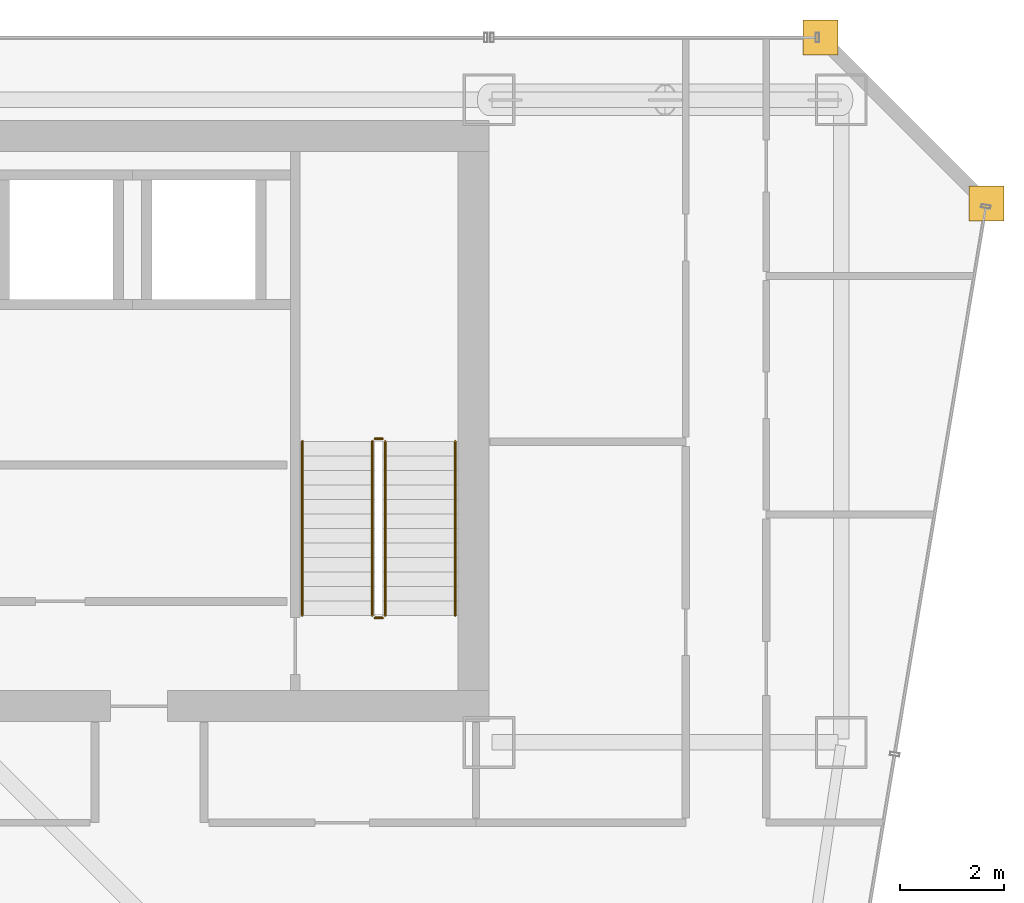
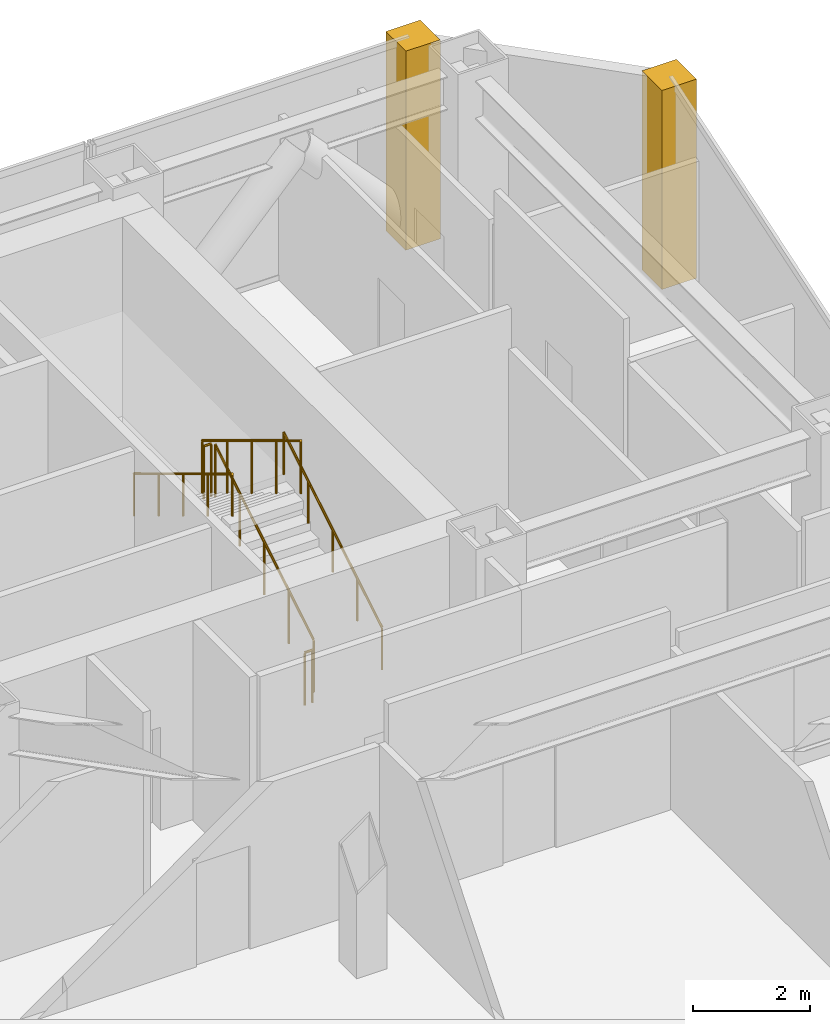
# One storey, part 37 of 37: 6 railings, 2 coverings.
"""IFC4 building model written with IfcOpenShell, lengths in metres."""

from ifc_helpers import new_model, si_unit, direction, frame, origin, origin_2d, place, context, subcontext, project, spatial, polyline, circle, outline, extrude, material, layer, layer_set, type_object, element, save


model = new_model("IFC4")

# Units and contexts
model_context = context("Model", 3, precision=1e-05, world=origin(), true_north=direction((0.0, 1.0)))
body_context = subcontext(model_context, "Body", "Model", "MODEL_VIEW")
ifc_project = project(units=[si_unit("LENGTHUNIT", "METRE"), si_unit("AREAUNIT", "SQUARE_METRE"), si_unit("VOLUMEUNIT", "CUBIC_METRE"), si_unit("PLANEANGLEUNIT", "RADIAN"), si_unit("MASSUNIT", "GRAM", prefix="KILO")], contexts=[model_context])

# Site, building, storey
site_placement = place(None, origin())
site = spatial("IfcSite", under=ifc_project, at=site_placement, CompositionType="ELEMENT")
building_placement = place(site_placement, origin())
building = spatial("IfcBuilding", under=site, at=building_placement, Name="Saevonmaru Cultural Tower", CompositionType="ELEMENT")
storey_placement = place(building_placement, frame((0.0, 0.0, 114.800048828125)))
storey = spatial("IfcBuildingStorey", under=building, at=storey_placement, Name="L24", CompositionType="ELEMENT", Elevation=114.800048828125)

# Coverings
ifc_material_1 = material(Name="Satin Bronze Anodised Aluminium", Category="aluminium")
ifc_layer = layer(ifc_material_1, 0.679931640625, Name="Satin Bronze Anodised Aluminium")
ifc_layer_set = layer_set([ifc_layer], Name="Satin Bronze Anodised Aluminium")
covering_type = type_object("IfcCoveringType", Name="CV-CORNER-CLAD", PredefinedType="CLADDING", material=ifc_layer_set)
covering_1_placement = place(storey_placement, origin())
element("IfcCovering", 1, at=covering_1_placement, inside=storey, type_object=covering_type, Name="L24 Tower Bronze Corner Cladding Pier 9", PredefinedType="CLADDING", context=body_context, shape_type="SweptSolid", body=[
    extrude(outline(polyline([(55.659912109375, 52.4599609375), (56.340087890625, 52.4599609375), (56.340087890625, 53.139892578125), (55.659912109375, 53.139892578125), (55.659912109375, 52.4599609375)])), origin(), (0.0, 0.0, 1.0), 4.14990234375),
])
covering_2_placement = place(storey_placement, origin())
element("IfcCovering", 2, at=covering_2_placement, inside=storey, type_object=covering_type, Name="L24 Tower Bronze Corner Cladding Pier 10", PredefinedType="CLADDING", context=body_context, shape_type="SweptSolid", body=[
    extrude(outline(polyline([(52.4599609375, 55.659912109375), (53.139892578125, 55.659912109375), (53.139892578125, 56.340087890625), (52.4599609375, 56.340087890625), (52.4599609375, 55.659912109375)])), origin(), (0.0, 0.0, 1.0), 4.14990234375),
])

# Railings
ifc_material_2 = material(Name="Architectural Painted Steel", Category="steel")
railing_type_1 = type_object("IfcRailingType", Name="RL-STAIR-GUARD", PredefinedType="GUARDRAIL", material=ifc_material_2)
railing_1_placement = place(storey_placement, frame((44.39990234375, 44.85009765625, 0.169189453125)))
element("IfcRailing", 3, at=railing_1_placement, inside=storey, type_object=railing_type_1, Name="L24 ST-2 stair guard 1", PredefinedType="GUARDRAIL", context=body_context, shape_type="SweptSolid", body=[
    extrude(circle(Radius=0.02392578125, at=origin_2d()), frame((0.0, 0.0, 1.09619140625), z_axis=(0.0, 0.855820338506, 0.51727318527), x_axis=(-1.0, 0.0, 0.0)), (0.0, 0.0, 1.0), 3.92578125),
    extrude(circle(Radius=0.02099609375, at=origin_2d()), origin(), (0.0, 0.0, 1.0), 1.072021484375),
    extrude(circle(Radius=0.02099609375, at=origin_2d()), frame((0.0, 0.83984375, 0.5078125)), (0.0, 0.0, 1.0), 1.072021484375),
    extrude(circle(Radius=0.02099609375, at=origin_2d()), frame((0.0, 1.679931640625, 1.015380859375)), (0.0, 0.0, 1.0), 1.072021484375),
    extrude(circle(Radius=0.02099609375, at=origin_2d()), frame((0.0, 2.52001953125, 1.52294921875)), (0.0, 0.0, 1.0), 1.072021484375),
    extrude(circle(Radius=0.02099609375, at=origin_2d()), frame((0.0, 3.35986328125, 2.03076171875)), (0.0, 0.0, 1.0), 1.072021484375),
])
railing_2_placement = place(storey_placement, frame((44.35009765625, 48.260009765625, 2.199951171875)))
element("IfcRailing", 4, at=railing_2_placement, inside=storey, type_object=railing_type_1, Name="L24 ST-2 stair guard 2", PredefinedType="GUARDRAIL", context=body_context, shape_type="SweptSolid", body=[
    extrude(circle(Radius=0.02392578125, at=origin_2d()), frame((0.0, 0.0, 1.09619140625), z_axis=(-1.0, 0.0, 0.0), x_axis=(0.0, -1.0, 0.0)), (0.0, 0.0, 1.0), 0.150146484375),
    extrude(circle(Radius=0.02099609375, at=origin_2d()), origin(), (0.0, 0.0, 1.0), 1.072021484375),
    extrude(circle(Radius=0.02099609375, at=origin_2d()), frame((-0.150146484375, 0.0, 0.0)), (0.0, 0.0, 1.0), 1.072021484375),
])
railing_3_placement = place(storey_placement, frame((44.14990234375, 48.2099609375, 2.369140625)))
element("IfcRailing", 5, at=railing_3_placement, inside=storey, type_object=railing_type_1, Name="L24 ST-2 stair guard 3", PredefinedType="GUARDRAIL", context=body_context, shape_type="SweptSolid", body=[
    extrude(circle(Radius=0.02392578125, at=origin_2d()), frame((0.0, 0.0, 1.09619140625), z_axis=(0.0, -0.855820338506, 0.51727318527), x_axis=(1.0, 0.0, 0.0)), (0.0, 0.0, 1.0), 3.92578125),
    extrude(circle(Radius=0.02099609375, at=origin_2d()), origin(), (0.0, 0.0, 1.0), 1.072021484375),
    extrude(circle(Radius=0.02099609375, at=origin_2d()), frame((0.0, -0.83984375, 0.5078125)), (0.0, 0.0, 1.0), 1.072021484375),
    extrude(circle(Radius=0.02099609375, at=origin_2d()), frame((0.0, -1.679931640625, 1.015380859375)), (0.0, 0.0, 1.0), 1.072021484375),
    extrude(circle(Radius=0.02099609375, at=origin_2d()), frame((0.0, -2.52001953125, 1.52294921875)), (0.0, 0.0, 1.0), 1.072021484375),
    extrude(circle(Radius=0.02099609375, at=origin_2d()), frame((0.0, -3.35986328125, 2.03076171875)), (0.0, 0.0, 1.0), 1.072021484375),
])
railing_4_placement = place(storey_placement, frame((44.35009765625, 44.800048828125, 0.0)))
element("IfcRailing", 6, at=railing_4_placement, inside=storey, type_object=railing_type_1, Name="L24 ST-2 stair guard 4", PredefinedType="GUARDRAIL", context=body_context, shape_type="SweptSolid", body=[
    extrude(circle(Radius=0.02392578125, at=origin_2d()), frame((0.0, 0.0, 1.09619140625), z_axis=(-1.0, 0.0, 0.0), x_axis=(0.0, -1.0, 0.0)), (0.0, 0.0, 1.0), 0.150146484375),
    extrude(circle(Radius=0.02099609375, at=origin_2d()), origin(), (0.0, 0.0, 1.0), 1.072021484375),
    extrude(circle(Radius=0.02099609375, at=origin_2d()), frame((-0.150146484375, 0.0, 0.0)), (0.0, 0.0, 1.0), 1.072021484375),
])
railing_type_2 = type_object("IfcRailingType", Name="RL-STAIR-HANDRAIL", PredefinedType="HANDRAIL", material=ifc_material_1)
railing_5_placement = place(storey_placement, frame((45.75, 44.85009765625, 0.169189453125)))
element("IfcRailing", 7, at=railing_5_placement, inside=storey, type_object=railing_type_2, Name="L24 ST-2 stair handrail 1", PredefinedType="HANDRAIL", context=body_context, shape_type="SweptSolid", body=[
    extrude(circle(Radius=0.02392578125, at=origin_2d()), frame((0.0, 0.0, 0.8759765625), z_axis=(0.0, 0.855820338506, 0.51727318527), x_axis=(-1.0, 0.0, 0.0)), (0.0, 0.0, 1.0), 3.92578125),
    extrude(circle(Radius=0.02099609375, at=origin_2d()), origin(), (0.0, 0.0, 1.0), 0.851806640625),
    extrude(circle(Radius=0.02099609375, at=origin_2d()), frame((0.0, 0.83984375, 0.5078125)), (0.0, 0.0, 1.0), 0.851806640625),
    extrude(circle(Radius=0.02099609375, at=origin_2d()), frame((0.0, 1.679931640625, 1.015380859375)), (0.0, 0.0, 1.0), 0.851806640625),
    extrude(circle(Radius=0.02099609375, at=origin_2d()), frame((0.0, 2.52001953125, 1.52294921875)), (0.0, 0.0, 1.0), 0.851806640625),
    extrude(circle(Radius=0.02099609375, at=origin_2d()), frame((0.0, 3.35986328125, 2.03076171875)), (0.0, 0.0, 1.0), 0.851806640625),
])
railing_6_placement = place(storey_placement, frame((42.800048828125, 48.2099609375, 2.369140625)))
element("IfcRailing", 8, at=railing_6_placement, inside=storey, type_object=railing_type_2, Name="L24 ST-2 stair handrail 2", PredefinedType="HANDRAIL", context=body_context, shape_type="SweptSolid", body=[
    extrude(circle(Radius=0.02392578125, at=origin_2d()), frame((0.0, 0.0, 0.8759765625), z_axis=(0.0, -0.855820338506, 0.51727318527), x_axis=(1.0, 0.0, 0.0)), (0.0, 0.0, 1.0), 3.92578125),
    extrude(circle(Radius=0.02099609375, at=origin_2d()), origin(), (0.0, 0.0, 1.0), 0.851806640625),
    extrude(circle(Radius=0.02099609375, at=origin_2d()), frame((0.0, -0.83984375, 0.5078125)), (0.0, 0.0, 1.0), 0.851806640625),
    extrude(circle(Radius=0.02099609375, at=origin_2d()), frame((0.0, -1.679931640625, 1.015380859375)), (0.0, 0.0, 1.0), 0.851806640625),
    extrude(circle(Radius=0.02099609375, at=origin_2d()), frame((0.0, -2.52001953125, 1.52294921875)), (0.0, 0.0, 1.0), 0.851806640625),
    extrude(circle(Radius=0.02099609375, at=origin_2d()), frame((0.0, -3.35986328125, 2.03076171875)), (0.0, 0.0, 1.0), 0.851806640625),
])

save(model, "model.ifc")
